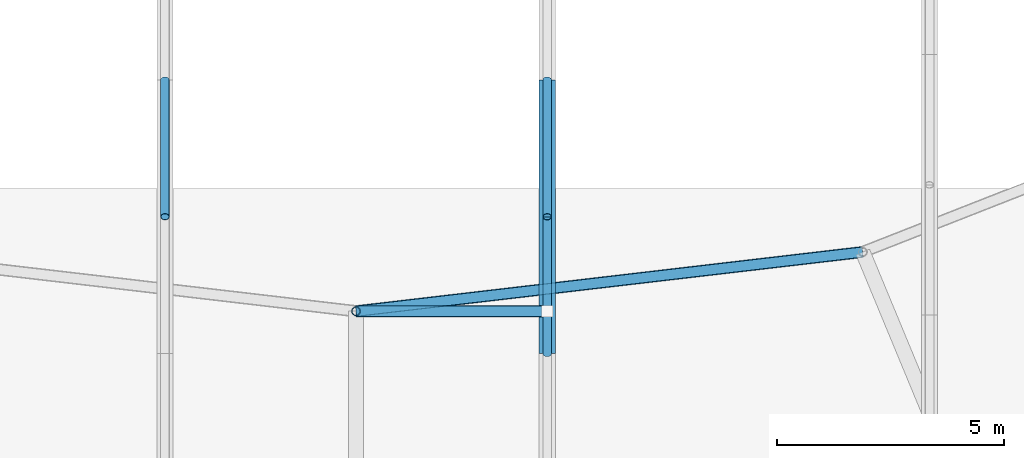
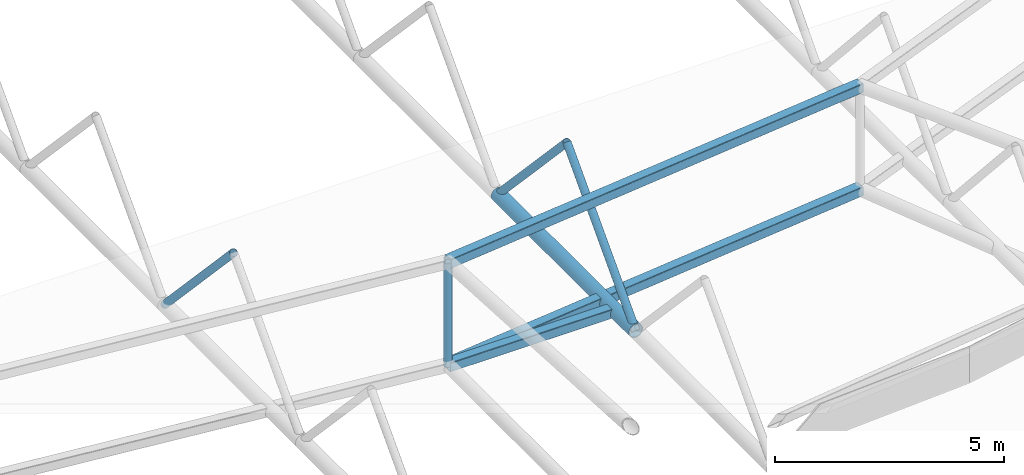
# One storey, part 16 of 134: 8 members.
"""IFC4 building model written with IfcOpenShell, lengths in metres."""

from ifc_helpers import new_model, si_unit, derived_unit, direction, frame, origin, origin_2d, place, context, subcontext, project, spatial, hollow_rectangle, hollow_circle, extrude, material, material_profile, profile_set, type_object, element, save


model = new_model("IFC4")

# Units and contexts
model_context = context("Model", 3, precision=1e-05, world=origin(), true_north=direction((0.0, 1.0)))
body_context = subcontext(model_context, "Body", "Model", "MODEL_VIEW")
ifc_project = project(units=[si_unit("LENGTHUNIT", "METRE"), si_unit("AREAUNIT", "SQUARE_METRE"), si_unit("VOLUMEUNIT", "CUBIC_METRE"), si_unit("PLANEANGLEUNIT", "RADIAN"), si_unit("MASSUNIT", "GRAM", prefix="KILO"), derived_unit("THERMALTRANSMITTANCEUNIT", [(si_unit("MASSUNIT", "GRAM", prefix="KILO"), 1), (si_unit("TIMEUNIT", "SECOND"), -3), (si_unit("THERMODYNAMICTEMPERATUREUNIT", "KELVIN"), -1)])], contexts=[model_context])

# Site, building, storey
site_placement = place(None, origin())
site = spatial("IfcSite", under=ifc_project, at=site_placement, CompositionType="ELEMENT")
building_placement = place(site_placement, origin())
building = spatial("IfcBuilding", under=site, at=building_placement, Name="Kharveza Railside Sports Centre", CompositionType="ELEMENT")
storey_placement = place(building_placement, frame((0.0, 0.0, 12.89990234375)))
storey = spatial("IfcBuildingStorey", under=building, at=storey_placement, Name="L03", CompositionType="ELEMENT", Elevation=12.89990234375)

# Members
ifc_material = material(Name="Steel S355J2", Category="steel")
ifc_material_profile_1 = material_profile(ifc_material, hollow_circle(Radius=0.177734375, WallThickness=0.01611328125, at=origin_2d()), Name="CHS 355.6x16.0")
ifc_profile_set_1 = profile_set([ifc_material_profile_1], Name="Steel S355J2")
member_type_1 = type_object("IfcMemberType", Name="MB-CH01", PredefinedType="CHORD", material=ifc_profile_set_1)
member_1_placement = place(storey_placement, frame((58.800048828125, 32.37109375, -0.0498046875), z_axis=(0.0, 1.0, 0.0), x_axis=(-1.0, 0.0, 0.0)))
element("IfcMember", 1, at=member_1_placement, inside=storey, type_object=member_type_1, Name="MB-V1TR-BC-4-2", PredefinedType="CHORD", context=body_context, shape_type="SweptSolid", body=[
    extrude(hollow_circle(Radius=0.177734375, WallThickness=0.01611328125, at=origin_2d()), origin(), (0.0, 0.0, 1.0), 6.009521484375),
])
ifc_material_profile_2 = material_profile(ifc_material, hollow_rectangle(XDim=0.25, YDim=0.25, WallThickness=0.012451171875, InnerFilletRadius=0.012451171875, OuterFilletRadius=0.02490234375, at=origin_2d()), Name="SHS 250x250x12.5")
ifc_profile_set_2 = profile_set([ifc_material_profile_2], Name="Steel S355J2")
member_type_2 = type_object("IfcMemberType", Name="MB-CH05", PredefinedType="CHORD", material=ifc_profile_set_2)
for number, where, z_axis, x_axis, name in (
    (2, (54.60009765625, 33.300048828125, -0.0498046875), (0.99323683878, 0.116105908938, 0.0), (-0.116105908938, 0.99323683878, 0.0), "MB-INRING-BOT-13"),
    (3, (54.60009765625, 33.300048828125, 2.7001953125), (0.99323683878, 0.116105908938, 0.0), (-0.116105908938, 0.99323683878, 0.0), "MB-INRING-TOP-13"),
):
    element("IfcMember", number, at=place(storey_placement, frame(where, z_axis=z_axis, x_axis=x_axis)), inside=storey, type_object=member_type_2, Name=name, PredefinedType="CHORD", context=body_context, shape_type="SweptSolid", body=[
        extrude(hollow_rectangle(XDim=0.25, YDim=0.25, WallThickness=0.012451171875, InnerFilletRadius=0.012451171875, OuterFilletRadius=0.02490234375, at=origin_2d()), origin(), (0.0, 0.0, 1.0), 11.2119140625),
    ])
member_2_placement = place(storey_placement, frame((54.60009765625, 33.300048828125, -0.0498046875), z_axis=(1.0, 0.0, 0.0), x_axis=(0.0, 1.0, 0.0)))
element("IfcMember", 4, at=member_2_placement, inside=storey, type_object=member_type_2, Name="MB-INRING-TIE-13", PredefinedType="CHORD", context=body_context, shape_type="SweptSolid", body=[
    extrude(hollow_rectangle(XDim=0.25, YDim=0.25, WallThickness=0.012451171875, InnerFilletRadius=0.012451171875, OuterFilletRadius=0.02490234375, at=origin_2d()), origin(), (0.0, 0.0, 1.0), 4.199951171875),
])
ifc_material_profile_3 = material_profile(ifc_material, hollow_circle(Radius=0.096923828125, WallThickness=0.010009765625, at=origin_2d()), Name="CHS 193.7x10.0")
ifc_profile_set_3 = profile_set([ifc_material_profile_3], Name="Steel S355J2")
member_type_3 = type_object("IfcMemberType", Name="MB-ST02", PredefinedType="STRUT", material=ifc_profile_set_3)
member_3_placement = place(storey_placement, frame((54.60009765625, 33.300048828125, -0.0498046875), z_axis=(0.0, 0.0, 1.0), x_axis=(1.0, 0.0, 0.0)))
element("IfcMember", 5, at=member_3_placement, inside=storey, type_object=member_type_3, Name="MB-OUT-WEB-13-1", PredefinedType="STRUT", context=body_context, shape_type="SweptSolid", body=[
    extrude(hollow_circle(Radius=0.096923828125, WallThickness=0.010009765625, at=origin_2d()), origin(), (0.0, 0.0, 1.0), 2.75),
])
member_4_placement = place(storey_placement, frame((50.39990234375, 35.3759765625, 3.150146484375), z_axis=(0.0, 0.684508910936, -0.729004493024), x_axis=(-1.0, 0.0, 0.0)))
element("IfcMember", 6, at=member_4_placement, inside=storey, type_object=member_type_3, Name="MB-V1TR-D2-3-2", PredefinedType="STRUT", context=body_context, shape_type="SweptSolid", body=[
    extrude(hollow_circle(Radius=0.096923828125, WallThickness=0.010009765625, at=origin_2d()), origin(), (0.0, 0.0, 1.0), 4.389404296875),
])
member_5_placement = place(storey_placement, frame((58.800048828125, 32.37109375, -0.0498046875), z_axis=(0.0, 0.684538468084, 0.728976738802), x_axis=(-1.0, 0.0, 0.0)))
element("IfcMember", 7, at=member_5_placement, inside=storey, type_object=member_type_3, Name="MB-V1TR-D1-4-2", PredefinedType="STRUT", context=body_context, shape_type="SweptSolid", body=[
    extrude(hollow_circle(Radius=0.096923828125, WallThickness=0.010009765625, at=origin_2d()), origin(), (0.0, 0.0, 1.0), 4.3896484375),
])
member_6_placement = place(storey_placement, frame((58.800048828125, 35.3759765625, 3.150146484375), z_axis=(0.0, 0.684508910936, -0.729004493024), x_axis=(-1.0, 0.0, 0.0)))
element("IfcMember", 8, at=member_6_placement, inside=storey, type_object=member_type_3, Name="MB-V1TR-D2-4-2", PredefinedType="STRUT", context=body_context, shape_type="SweptSolid", body=[
    extrude(hollow_circle(Radius=0.096923828125, WallThickness=0.010009765625, at=origin_2d()), origin(), (0.0, 0.0, 1.0), 4.389404296875),
])

save(model, "model.ifc")
